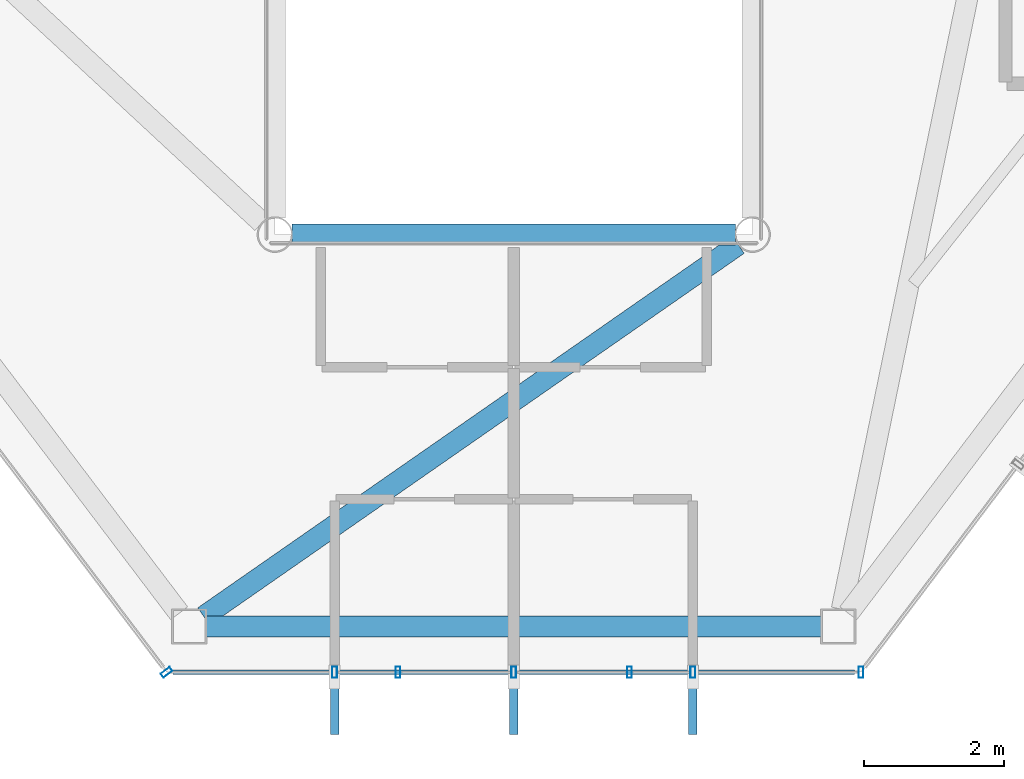
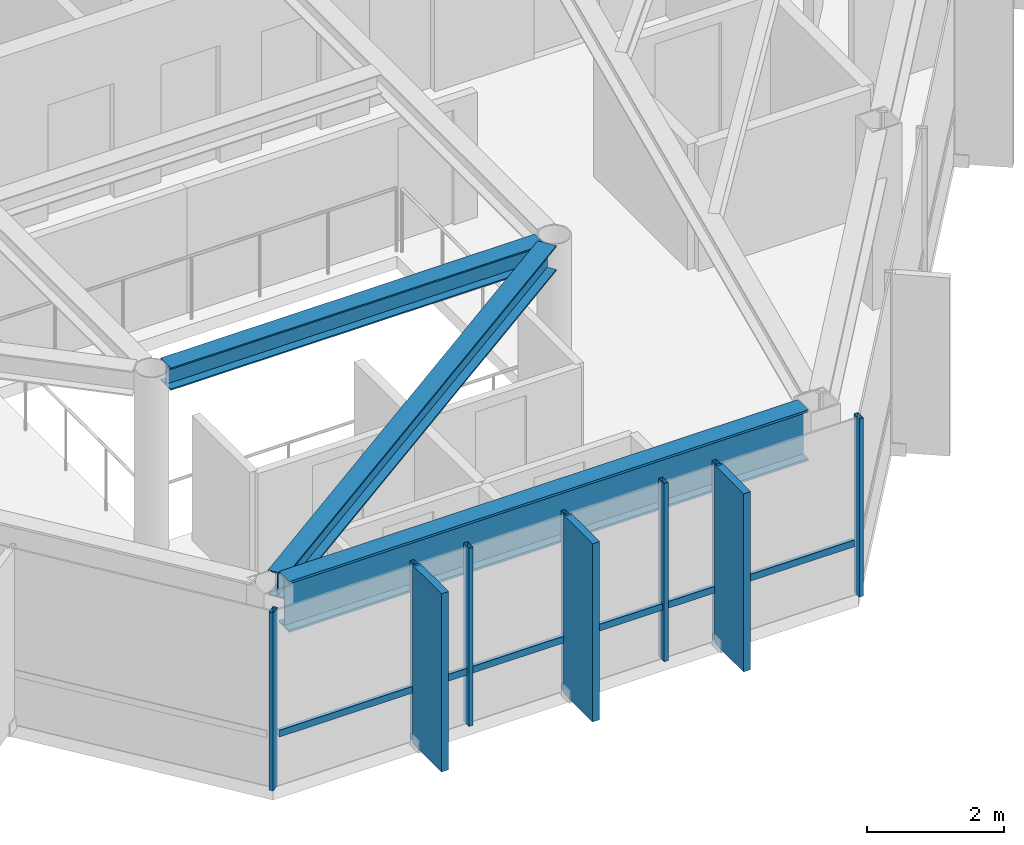
# One storey, part 5 of 26: 11 members, 3 beams, 2 elements without a shape of their own.
"""IFC4 building model written with IfcOpenShell, lengths in metres."""

from ifc_helpers import new_model, si_unit, direction, frame, origin, origin_2d, place, context, subcontext, project, spatial, rectangle, hollow_rectangle, i_section, extrude, material, layer, layer_set, material_profile, profile_set, type_object, element, aggregate, save


model = new_model("IFC4")

# Units and contexts
model_context = context("Model", 3, precision=1e-05, world=origin(), true_north=direction((0.0, 1.0)))
body_context = subcontext(model_context, "Body", "Model", "MODEL_VIEW")
ifc_project = project(units=[si_unit("LENGTHUNIT", "METRE"), si_unit("AREAUNIT", "SQUARE_METRE"), si_unit("VOLUMEUNIT", "CUBIC_METRE"), si_unit("PLANEANGLEUNIT", "RADIAN"), si_unit("MASSUNIT", "GRAM", prefix="KILO")], contexts=[model_context])

# Site, building, storey
site_placement = place(None, origin())
site = spatial("IfcSite", under=ifc_project, at=site_placement, CompositionType="ELEMENT")
building_placement = place(site_placement, origin())
building = spatial("IfcBuilding", under=site, at=building_placement, Name="Zarrinselat Tower", CompositionType="ELEMENT")
storey_placement = place(building_placement, frame((0.0, 0.0, 258.39990234375)))
storey = spatial("IfcBuildingStorey", under=building, at=storey_placement, Name="L65", CompositionType="ELEMENT", Elevation=258.39990234375)

# Beams
ifc_material_1 = material(Name="Steel S355J2", Category="steel")
ifc_material_profile_1 = material_profile(ifc_material_1, i_section(OverallWidth=0.300048828125, OverallDepth=0.39990234375, WebThickness=0.013427734375, FlangeThickness=0.02392578125, at=origin_2d()), Name="HEB 400")
ifc_profile_set_1 = profile_set([ifc_material_profile_1], Name="Steel S355J2")
beam_type_1 = type_object("IfcBeamType", Name="BM-HEB400", PredefinedType="BEAM", material=ifc_profile_set_1)
beam_1_placement = place(storey_placement, frame((35.239990234375, 25.199951171875, 2.97998046875), z_axis=(1.0, 0.0, 0.0), x_axis=(0.0, 1.0, 0.0)))
element("IfcBeam", 1, at=beam_1_placement, inside=storey, type_object=beam_type_1, Name="L65 Atrium Edge Beam S", PredefinedType="BEAM", context=body_context, shape_type="SweptSolid", body=[
    extrude(i_section(OverallWidth=0.300048828125, OverallDepth=0.39990234375, WebThickness=0.013427734375, FlangeThickness=0.02392578125, at=origin_2d()), origin(), (0.0, 0.0, 1.0), 6.320068359375),
])
ifc_material_2 = material(Name="Steel S355J2", Category="steel")
ifc_material_profile_2 = material_profile(ifc_material_2, i_section(OverallWidth=0.300048828125, OverallDepth=0.449951171875, WebThickness=0.013916015625, FlangeThickness=0.02587890625, at=origin_2d()), Name="HEB 450")
ifc_profile_set_2 = profile_set([ifc_material_profile_2], Name="Steel S355J2")
beam_type_2 = type_object("IfcBeamType", Name="BM-HEB450", PredefinedType="BEAM", material=ifc_profile_set_2)
beam_2_placement = place(storey_placement, frame((33.9873046875, 19.764892578125, 2.955078125), z_axis=(0.82089929517, 0.571072978864, 0.0), x_axis=(-0.571072978864, 0.82089929517, 0.0)))
element("IfcBeam", 2, at=beam_2_placement, inside=storey, type_object=beam_type_2, Name="L65 Radial Primary Girder RG10", PredefinedType="BEAM", context=body_context, shape_type="SweptSolid", body=[
    extrude(i_section(OverallWidth=0.300048828125, OverallDepth=0.449951171875, WebThickness=0.013916015625, FlangeThickness=0.02587890625, at=origin_2d()), origin(), (0.0, 0.0, 1.0), 9.26708984375),
])
ifc_material_3 = material(Name="Steel S460M", Category="steel")
ifc_material_profile_3 = material_profile(ifc_material_3, i_section(OverallWidth=0.302001953125, OverallDepth=0.909912109375, WebThickness=0.02099609375, FlangeThickness=0.0400390625, at=origin_2d()), Name="HEM 900")
ifc_profile_set_3 = profile_set([ifc_material_profile_3], Name="Steel S460M")
beam_type_3 = type_object("IfcBeamType", Name="BM-HEM900", PredefinedType="BEAM", material=ifc_profile_set_3)
beam_3_placement = place(storey_placement, frame((34.018310546875, 19.62109375, 2.72509765625), z_axis=(1.0, 0.0, 0.0), x_axis=(0.0, 1.0, 0.0)))
element("IfcBeam", 3, at=beam_3_placement, inside=storey, type_object=beam_type_3, Name="L65 Perimeter Spandrel Girder SP10", PredefinedType="BEAM", context=body_context, shape_type="SweptSolid", body=[
    extrude(i_section(OverallWidth=0.302001953125, OverallDepth=0.909912109375, WebThickness=0.02099609375, FlangeThickness=0.0400390625, at=origin_2d()), origin(), (0.0, 0.0, 1.0), 8.763427734375),
])

# Curtain wall, member
ifc_material_4 = material(Name="Extruded Aluminium Alloy EN AW-6063 T6", Category="aluminium")
ifc_layer = layer(ifc_material_4, 0.169921875)
ifc_layer_set = layer_set([ifc_layer], Name="Extruded Aluminium Alloy EN AW-6063 T6")
curtain_wall_type = type_object("IfcCurtainWallType", Name="CWS-RES", PredefinedType="NOTDEFINED", material=ifc_layer_set)
curtain_wall_1_placement = place(storey_placement, origin())
curtain_wall_1 = element("IfcCurtainWall", 4, at=curtain_wall_1_placement, inside=storey, type_object=curtain_wall_type, Name="L65 Unitised Curtain Wall CW-L65-E03", PredefinedType="NOTDEFINED")
ifc_material_5 = material(Name="Extruded Aluminium Alloy EN AW-6063 T6", Category="aluminium")
ifc_material_profile_4 = material_profile(ifc_material_5, hollow_rectangle(XDim=0.070068359375, YDim=0.159912109375, WallThickness=0.00390625, at=origin_2d()), Name="RHS 160x70x4")
ifc_profile_set_4 = profile_set([ifc_material_profile_4], Name="Extruded Aluminium Alloy EN AW-6063 T6")
member_type_1 = type_object("IfcMemberType", Name="MEM-CW-MUL2", PredefinedType="MULLION", material=ifc_profile_set_4)
member_1_placement = place(storey_placement, frame((33.457275390625, 18.97119140625, 0.0), z_axis=(0.0, 0.0, 1.0), x_axis=(0.603858282603, -0.797091697694, 0.0)))
member_1 = element("IfcMember", 5, at=member_1_placement, type_object=member_type_1, Name="CW-L65-E03 Mullion 10", PredefinedType="MULLION", context=body_context, shape_type="SweptSolid", body=[
    extrude(hollow_rectangle(XDim=0.070068359375, YDim=0.159912109375, WallThickness=0.00390625, at=origin_2d()), origin(), (0.0, 0.0, 1.0), 3.18017578125),
])
aggregate(curtain_wall_1, [member_1])

# Curtain wall, members
curtain_wall_2_placement = place(storey_placement, origin())
curtain_wall_2 = element("IfcCurtainWall", 6, at=curtain_wall_2_placement, inside=storey, type_object=curtain_wall_type, Name="L65 Unitised Curtain Wall CW-L65-E04", PredefinedType="NOTDEFINED")
member_2_placement = place(storey_placement, frame((35.85009765625, 18.97119140625, 0.0), z_axis=(0.0, 0.0, 1.0), x_axis=(1.0, 0.0, 0.0)))
member_2 = element("IfcMember", 7, at=member_2_placement, type_object=member_type_1, Name="CW-L65-E04 Mullion 1", PredefinedType="MULLION", context=body_context, shape_type="SweptSolid", body=[
    extrude(hollow_rectangle(XDim=0.070068359375, YDim=0.159912109375, WallThickness=0.00390625, at=origin_2d()), origin(), (0.0, 0.0, 1.0), 3.18017578125),
])
member_3_placement = place(storey_placement, frame((36.75244140625, 18.97119140625, 0.0), z_axis=(0.0, 0.0, 1.0), x_axis=(1.0, 0.0, 0.0)))
member_3 = element("IfcMember", 8, at=member_3_placement, type_object=member_type_1, Name="CW-L65-E04 Mullion 2", PredefinedType="MULLION", context=body_context, shape_type="SweptSolid", body=[
    extrude(hollow_rectangle(XDim=0.070068359375, YDim=0.159912109375, WallThickness=0.00390625, at=origin_2d()), origin(), (0.0, 0.0, 1.0), 3.18017578125),
])
member_4_placement = place(storey_placement, frame((38.39990234375, 18.97119140625, 0.0), z_axis=(0.0, 0.0, 1.0), x_axis=(1.0, 0.0, 0.0)))
member_4 = element("IfcMember", 9, at=member_4_placement, type_object=member_type_1, Name="CW-L65-E04 Mullion 3", PredefinedType="MULLION", context=body_context, shape_type="SweptSolid", body=[
    extrude(hollow_rectangle(XDim=0.070068359375, YDim=0.159912109375, WallThickness=0.00390625, at=origin_2d()), origin(), (0.0, 0.0, 1.0), 3.18017578125),
])
member_5_placement = place(storey_placement, frame((40.047607421875, 18.97119140625, 0.0), z_axis=(0.0, 0.0, 1.0), x_axis=(1.0, 0.0, 0.0)))
member_5 = element("IfcMember", 10, at=member_5_placement, type_object=member_type_1, Name="CW-L65-E04 Mullion 4", PredefinedType="MULLION", context=body_context, shape_type="SweptSolid", body=[
    extrude(hollow_rectangle(XDim=0.070068359375, YDim=0.159912109375, WallThickness=0.00390625, at=origin_2d()), origin(), (0.0, 0.0, 1.0), 3.18017578125),
])
member_6_placement = place(storey_placement, frame((40.949951171875, 18.97119140625, 0.0), z_axis=(0.0, 0.0, 1.0), x_axis=(1.0, 0.0, 0.0)))
member_6 = element("IfcMember", 11, at=member_6_placement, type_object=member_type_1, Name="CW-L65-E04 Mullion 5", PredefinedType="MULLION", context=body_context, shape_type="SweptSolid", body=[
    extrude(hollow_rectangle(XDim=0.070068359375, YDim=0.159912109375, WallThickness=0.00390625, at=origin_2d()), origin(), (0.0, 0.0, 1.0), 3.18017578125),
])
member_7_placement = place(storey_placement, frame((43.3427734375, 18.97119140625, 0.0), z_axis=(0.0, 0.0, 1.0), x_axis=(1.0, 0.0, 0.0)))
member_7 = element("IfcMember", 12, at=member_7_placement, type_object=member_type_1, Name="CW-L65-E04 Mullion 6", PredefinedType="MULLION", context=body_context, shape_type="SweptSolid", body=[
    extrude(hollow_rectangle(XDim=0.070068359375, YDim=0.159912109375, WallThickness=0.00390625, at=origin_2d()), origin(), (0.0, 0.0, 1.0), 3.18017578125),
])
ifc_material_6 = material(Name="Extruded Aluminium Alloy EN AW-6063 T6", Category="aluminium")
ifc_material_profile_5 = material_profile(ifc_material_6, hollow_rectangle(XDim=0.06005859375, YDim=0.1201171875, WallThickness=0.00390625, at=origin_2d()), Name="RHS 120x60x4")
ifc_profile_set_5 = profile_set([ifc_material_profile_5], Name="Extruded Aluminium Alloy EN AW-6063 T6")
member_type_2 = type_object("IfcMemberType", Name="MEM-CW-TRN2", PredefinedType="USERDEFINED", material=ifc_profile_set_5)
member_8_placement = place(storey_placement, frame((33.54736328125, 18.97119140625, 0.9501953125), z_axis=(1.0, 0.0, 0.0), x_axis=(0.0, 1.0, 0.0)))
member_8 = element("IfcMember", 13, at=member_8_placement, type_object=member_type_2, Name="CW-L65-E04 Transom 1", ObjectType="TRANSOM", PredefinedType="USERDEFINED", context=body_context, shape_type="SweptSolid", body=[
    extrude(hollow_rectangle(XDim=0.06005859375, YDim=0.1201171875, WallThickness=0.00390625, at=origin_2d()), origin(), (0.0, 0.0, 1.0), 9.705322265625),
])
ifc_material_7 = material(Name="Honed Cream Travertine Stone", Category="masonry")
ifc_material_profile_6 = material_profile(ifc_material_7, rectangle(XDim=0.1201171875, YDim=0.85009765625, at=origin_2d()), Name="FIN 850x120")
ifc_profile_set_6 = profile_set([ifc_material_profile_6], Name="Honed Cream Travertine Stone")
member_type_3 = type_object("IfcMemberType", Name="MEM-STONE-FIN", PredefinedType="USERDEFINED", material=ifc_profile_set_6)
member_9_placement = place(storey_placement, frame((35.85009765625, 18.510986328125, 0.0), z_axis=(0.0, 0.0, 1.0), x_axis=(-1.0, 0.0, 0.0)))
member_9 = element("IfcMember", 14, at=member_9_placement, type_object=member_type_3, Name="L65 Stone Shading Fin CW-L65-E04-01", ObjectType="FIN", PredefinedType="USERDEFINED", context=body_context, shape_type="SweptSolid", body=[
    extrude(rectangle(XDim=0.1201171875, YDim=0.85009765625, at=origin_2d()), origin(), (0.0, 0.0, 1.0), 3.18017578125),
])
member_10_placement = place(storey_placement, frame((38.39990234375, 18.510986328125, 0.0), z_axis=(0.0, 0.0, 1.0), x_axis=(-1.0, 0.0, 0.0)))
member_10 = element("IfcMember", 15, at=member_10_placement, type_object=member_type_3, Name="L65 Stone Shading Fin CW-L65-E04-03", ObjectType="FIN", PredefinedType="USERDEFINED", context=body_context, shape_type="SweptSolid", body=[
    extrude(rectangle(XDim=0.1201171875, YDim=0.85009765625, at=origin_2d()), origin(), (0.0, 0.0, 1.0), 3.18017578125),
])
member_11_placement = place(storey_placement, frame((40.949951171875, 18.510986328125, 0.0), z_axis=(0.0, 0.0, 1.0), x_axis=(-1.0, 0.0, 0.0)))
member_11 = element("IfcMember", 16, at=member_11_placement, type_object=member_type_3, Name="L65 Stone Shading Fin CW-L65-E04-05", ObjectType="FIN", PredefinedType="USERDEFINED", context=body_context, shape_type="SweptSolid", body=[
    extrude(rectangle(XDim=0.1201171875, YDim=0.85009765625, at=origin_2d()), origin(), (0.0, 0.0, 1.0), 3.18017578125),
])
aggregate(curtain_wall_2, [member_2, member_9, member_3, member_4, member_10, member_5, member_6, member_11, member_7, member_8])

save(model, "model.ifc")
